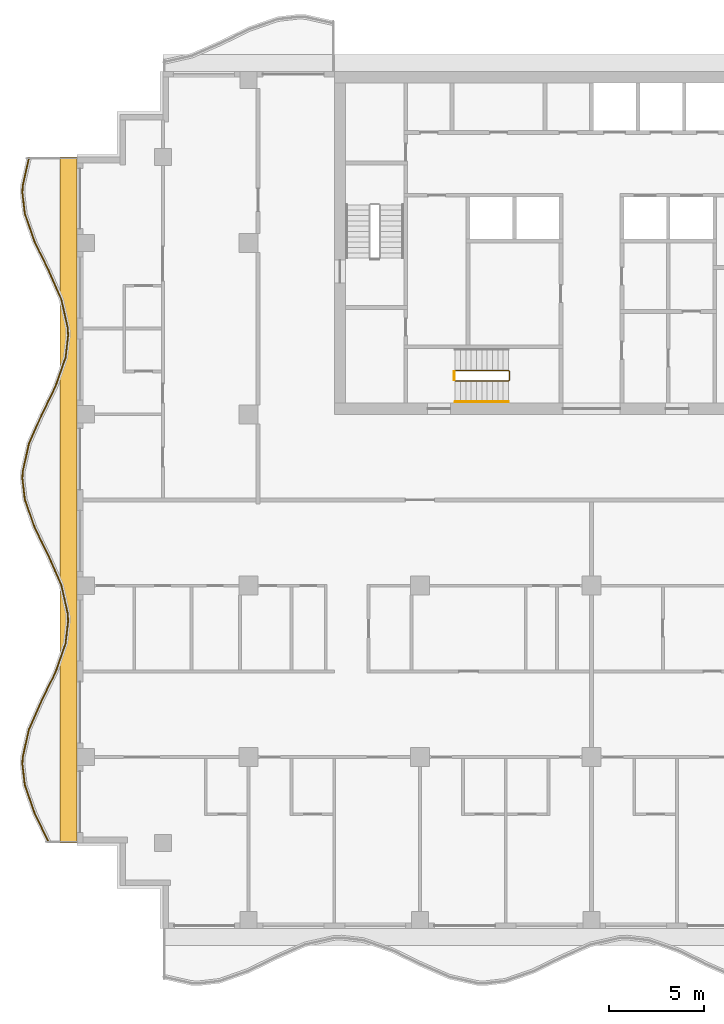
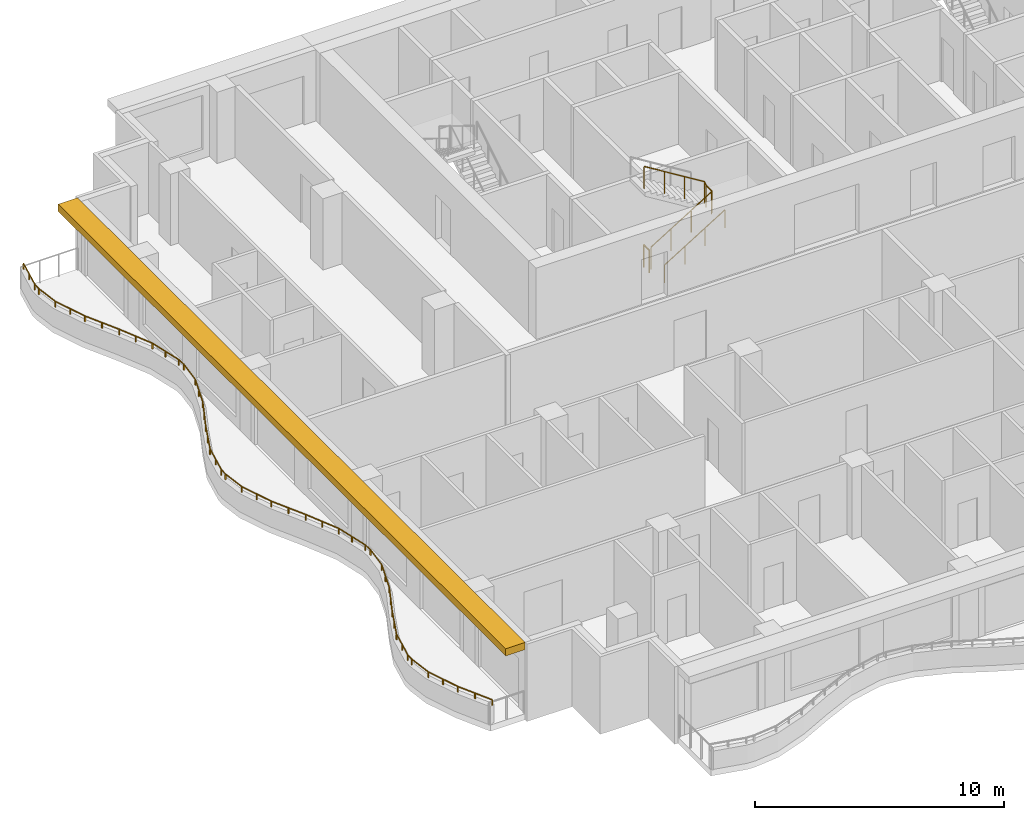
# One storey, part 9 of 11: 4 railings, 1 shading device.
"""IFC4 building model written with IfcOpenShell, lengths in metres."""

from ifc_helpers import new_model, si_unit, direction, frame, origin, origin_2d, place, context, subcontext, project, spatial, polyline, rectangle, circle, outline, extrude, material, layer, layer_set, type_object, element, save


model = new_model("IFC4")

# Units and contexts
model_context = context("Model", 3, precision=1e-05, world=origin(), true_north=direction((0.0, 1.0)))
body_context = subcontext(model_context, "Body", "Model", "MODEL_VIEW")
ifc_project = project(units=[si_unit("LENGTHUNIT", "METRE"), si_unit("AREAUNIT", "SQUARE_METRE"), si_unit("VOLUMEUNIT", "CUBIC_METRE"), si_unit("PLANEANGLEUNIT", "RADIAN"), si_unit("MASSUNIT", "GRAM", prefix="KILO")], contexts=[model_context])

# Site, building, storey
site_placement = place(None, origin())
site = spatial("IfcSite", under=ifc_project, at=site_placement, CompositionType="ELEMENT")
building_placement = place(site_placement, origin())
building = spatial("IfcBuilding", under=site, at=building_placement, Name="Orbiselva Terraces", CompositionType="ELEMENT")
storey_placement = place(building_placement, frame((0.0, 0.0, 246.4)))
storey = spatial("IfcBuildingStorey", under=building, at=storey_placement, Name="L62", CompositionType="ELEMENT", Elevation=246.4)

# Railings
ifc_material_1 = material(Name="Stainless steel", Category="steel")
railing_type_1 = type_object("IfcRailingType", Name="CORE-GUARD-1100", PredefinedType="GUARDRAIL", material=ifc_material_1)
railing_1_placement = place(storey_placement, frame((-7.15, 6.25, 0.172727)))
element("IfcRailing", 1, at=railing_1_placement, inside=storey, type_object=railing_type_1, Name="L62 S3 stair guard 1", PredefinedType="GUARDRAIL", context=body_context, shape_type="SweptSolid", body=[
    extrude(circle(Radius=0.024, at=origin_2d()), frame((0.0, 0.0, 1.081), z_axis=(0.851088519012, 0.0, 0.52502222125), x_axis=(0.0, 1.0, 0.0)), (0.0, 0.0, 1.0), 3.289905),
    extrude(circle(Radius=0.024, at=origin_2d()), frame((2.8, 0.0, 2.808273), z_axis=(0.707106781187, 0.707106781187, 0.0), x_axis=(-0.707106781187, 0.707106781187, 0.0)), (0.0, 0.0, 1.0), 0.070711),
    extrude(circle(Radius=0.024, at=origin_2d()), frame((2.85, 0.05, 2.808273), z_axis=(0.0, 1.0, 0.0), x_axis=(-1.0, 0.0, 0.0)), (0.0, 0.0, 1.0), 0.45),
    extrude(circle(Radius=0.024, at=origin_2d()), frame((2.85, 0.5, 2.808273), z_axis=(-0.267894925557, 0.267894925557, 0.925453736133), x_axis=(-0.707106781187, -0.707106781187, 0.0)), (0.0, 0.0, 1.0), 0.18664),
    extrude(circle(Radius=0.024, at=origin_2d()), frame((2.8, 0.55, 2.981), z_axis=(-0.851088519012, 0.0, 0.52502222125), x_axis=(0.0, -1.0, 0.0)), (0.0, 0.0, 1.0), 3.289905),
    extrude(circle(Radius=0.021, at=origin_2d()), origin(), (0.0, 0.0, 1.0), 1.057),
    extrude(circle(Radius=0.021, at=origin_2d()), frame((0.933333, 0.0, 0.575758)), (0.0, 0.0, 1.0), 1.057),
    extrude(circle(Radius=0.021, at=origin_2d()), frame((1.866667, 0.0, 1.151515)), (0.0, 0.0, 1.0), 1.057),
    extrude(circle(Radius=0.021, at=origin_2d()), frame((2.8, 0.0, 1.727273)), (0.0, 0.0, 1.0), 1.057),
    extrude(circle(Radius=0.021, at=origin_2d()), frame((2.85, 0.05, 1.727273)), (0.0, 0.0, 1.0), 1.057),
    extrude(circle(Radius=0.021, at=origin_2d()), frame((2.85, 0.5, 1.727273)), (0.0, 0.0, 1.0), 1.057),
    extrude(circle(Radius=0.021, at=origin_2d()), frame((2.8, 0.55, 1.9)), (0.0, 0.0, 1.0), 1.057),
    extrude(circle(Radius=0.021, at=origin_2d()), frame((1.866667, 0.55, 2.475758)), (0.0, 0.0, 1.0), 1.057),
    extrude(circle(Radius=0.021, at=origin_2d()), frame((0.933333, 0.55, 3.051515)), (0.0, 0.0, 1.0), 1.057),
    extrude(circle(Radius=0.021, at=origin_2d()), frame((0.0, 0.55, 3.627273)), (0.0, 0.0, 1.0), 1.057),
])
railing_2_placement = place(storey_placement, frame((-7.2, 6.3, 0.0)))
element("IfcRailing", 2, at=railing_2_placement, inside=storey, type_object=railing_type_1, Name="L62 S3 stair guard 2", PredefinedType="GUARDRAIL", context=body_context, shape_type="SweptSolid", body=[
    extrude(circle(Radius=0.024, at=origin_2d()), frame((0.0, 0.0, 1.081), z_axis=(0.0, 1.0, 0.0), x_axis=(-1.0, 0.0, 0.0)), (0.0, 0.0, 1.0), 0.45),
    extrude(circle(Radius=0.021, at=origin_2d()), origin(), (0.0, 0.0, 1.0), 1.057),
    extrude(circle(Radius=0.021, at=origin_2d()), frame((0.0, 0.45, 0.0)), (0.0, 0.0, 1.0), 1.057),
])
railing_type_2 = type_object("IfcRailingType", Name="CORE-HANDRAIL-900", PredefinedType="HANDRAIL", material=ifc_material_1)
railing_3_placement = place(storey_placement, frame((-7.15, 5.15, 0.172727)))
element("IfcRailing", 3, at=railing_3_placement, inside=storey, type_object=railing_type_2, Name="L62 S3 stair handrail 1", PredefinedType="HANDRAIL", context=body_context, shape_type="SweptSolid", body=[
    extrude(circle(Radius=0.024, at=origin_2d()), frame((0.0, 0.0, 0.876), z_axis=(0.851088519012, 0.0, 0.52502222125), x_axis=(0.0, 1.0, 0.0)), (0.0, 0.0, 1.0), 3.289905),
    extrude(circle(Radius=0.021, at=origin_2d()), origin(), (0.0, 0.0, 1.0), 0.852),
    extrude(circle(Radius=0.021, at=origin_2d()), frame((0.933333, 0.0, 0.575758)), (0.0, 0.0, 1.0), 0.852),
    extrude(circle(Radius=0.021, at=origin_2d()), frame((1.866667, 0.0, 1.151515)), (0.0, 0.0, 1.0), 0.852),
    extrude(circle(Radius=0.021, at=origin_2d()), frame((2.8, 0.0, 1.727273)), (0.0, 0.0, 1.0), 0.852),
])
ifc_material_2 = material(Name="Bonded two-ply safety glass balustrade, stainless steel posts", Category="steel")
railing_type_3 = type_object("IfcRailingType", Name="ENV-BALUSTRADE-1200", PredefinedType="BALUSTRADE", material=ifc_material_2)
railing_4_placement = place(storey_placement, frame((-29.526563, 17.972623, 0.9)))
element("IfcRailing", 4, at=railing_4_placement, inside=storey, type_object=railing_type_3, Name="Balcony balustrade L62 W", PredefinedType="BALUSTRADE", context=body_context, shape_type="SweptSolid", body=[
    extrude(outline(polyline([(0.028868, 0.0), (0.014434, 0.025), (-0.014434, 0.025), (-0.028868, 0.0), (-0.014434, -0.025), (0.014434, -0.025), (0.028868, 0.0)])), frame((0.0, 0.0, 0.275), z_axis=(-0.21901575501, -0.975721322437, 0.0), x_axis=(0.975721322437, -0.21901575501, 0.0)), (0.0, 0.0, 1.0), 1.525954),
    extrude(outline(polyline([(0.028868, 0.0), (0.014434, 0.025), (-0.014434, 0.025), (-0.028868, 0.0), (-0.014434, -0.025), (0.014434, -0.025), (0.028868, 0.0)])), frame((-0.334208, -1.488906, 0.275), z_axis=(-0.039364150694, -0.999224931454, 0.0), x_axis=(0.999224931454, -0.039364150694, 0.0)), (0.0, 0.0, 1.0), 0.354206),
    extrude(outline(polyline([(0.028868, 0.0), (0.014434, 0.025), (-0.014434, 0.025), (-0.028868, 0.0), (-0.014434, -0.025), (0.014434, -0.025), (0.028868, 0.0)])), frame((-0.348151, -1.842837, 0.275), z_axis=(0.115481264762, -0.993309658409, 0.0), x_axis=(0.993309658409, 0.115481264762, 0.0)), (0.0, 0.0, 1.0), 1.10902),
    extrude(outline(polyline([(0.028868, 0.0), (0.014434, 0.025), (-0.014434, 0.025), (-0.028868, 0.0), (-0.014434, -0.025), (0.014434, -0.025), (0.028868, 0.0)])), frame((-0.22008, -2.944437, 0.275), z_axis=(0.330024754707, -0.943972277814, 0.0), x_axis=(0.943972277814, 0.330024754707, 0.0)), (0.0, 0.0, 1.0), 1.567807),
    extrude(outline(polyline([(0.028868, 0.0), (0.014434, 0.025), (-0.014434, 0.025), (-0.028868, 0.0), (-0.014434, -0.025), (0.014434, -0.025), (0.028868, 0.0)])), frame((0.297335, -4.424403, 0.275), z_axis=(0.438811978768, -0.89857890432, 0.0), x_axis=(0.89857890432, 0.438811978768, 0.0)), (0.0, 0.0, 1.0), 1.66438),
    extrude(outline(polyline([(0.028868, 0.0), (0.014434, 0.025), (-0.014434, 0.025), (-0.028868, 0.0), (-0.014434, -0.025), (0.014434, -0.025), (0.028868, 0.0)])), frame((1.027685, -5.91998, 0.275), z_axis=(0.403150874148, -0.915133527237, 0.0), x_axis=(0.915133527237, 0.403150874148, 0.0)), (0.0, 0.0, 1.0), 1.653736),
    extrude(outline(polyline([(0.028868, 0.0), (0.014434, 0.025), (-0.014434, 0.025), (-0.028868, 0.0), (-0.014434, -0.025), (0.014434, -0.025), (0.028868, 0.0)])), frame((1.69439, -7.433369, 0.275), z_axis=(0.219015500924, -0.97572137947, 0.0), x_axis=(0.97572137947, 0.219015500924, 0.0)), (0.0, 0.0, 1.0), 1.560867),
    extrude(outline(polyline([(0.028868, 0.0), (0.014434, 0.025), (-0.014434, 0.025), (-0.028868, 0.0), (-0.014434, -0.025), (0.014434, -0.025), (0.028868, 0.0)])), frame((2.036244, -8.95634, 0.275), z_axis=(0.03936915532, -0.999224734286, 0.0), x_axis=(0.999224734286, 0.03936915532, 0.0)), (0.0, 0.0, 1.0), 0.396376),
    extrude(outline(polyline([(0.028868, 0.0), (0.014434, 0.025), (-0.014434, 0.025), (-0.028868, 0.0), (-0.014434, -0.025), (0.014434, -0.025), (0.028868, 0.0)])), frame((2.051849, -9.352409, 0.275), z_axis=(-0.115482182324, -0.993309551734, 0.0), x_axis=(0.993309551734, -0.115482182324, 0.0)), (0.0, 0.0, 1.0), 1.156135),
    extrude(outline(polyline([(0.028868, 0.0), (0.014434, 0.025), (-0.014434, 0.025), (-0.028868, 0.0), (-0.014434, -0.025), (0.014434, -0.025), (0.028868, 0.0)])), frame((1.918336, -10.500809, 0.275), z_axis=(-0.330024597479, -0.943972332783, 0.0), x_axis=(0.943972332783, -0.330024597479, 0.0)), (0.0, 0.0, 1.0), 1.610253),
    extrude(outline(polyline([(0.028868, 0.0), (0.014434, 0.025), (-0.014434, 0.025), (-0.028868, 0.0), (-0.014434, -0.025), (0.014434, -0.025), (0.028868, 0.0)])), frame((1.386913, -12.020843, 0.275), z_axis=(-0.438812048596, -0.898578870221, 0.0), x_axis=(0.898578870221, -0.438812048596, 0.0)), (0.0, 0.0, 1.0), 1.674225),
    extrude(outline(polyline([(0.028868, 0.0), (0.014434, 0.025), (-0.014434, 0.025), (-0.028868, 0.0), (-0.014434, -0.025), (0.014434, -0.025), (0.028868, 0.0)])), frame((0.652243, -13.525266, 0.275), z_axis=(-0.403151245402, -0.915133363686, 0.0), x_axis=(0.915133363686, -0.403151245402, 0.0)), (0.0, 0.0, 1.0), 1.624475),
    extrude(outline(polyline([(0.028868, 0.0), (0.014434, 0.025), (-0.014434, 0.025), (-0.028868, 0.0), (-0.014434, -0.025), (0.014434, -0.025), (0.028868, 0.0)])), frame((-0.002666, -15.011877, 0.275), z_axis=(-0.219015740235, -0.975721325753, 0.0), x_axis=(0.975721325753, -0.219015740235, 0.0)), (0.0, 0.0, 1.0), 1.513782),
    extrude(outline(polyline([(0.028868, 0.0), (0.014434, 0.025), (-0.014434, 0.025), (-0.028868, 0.0), (-0.014434, -0.025), (0.014434, -0.025), (0.028868, 0.0)])), frame((-0.334208, -16.488906, 0.275), z_axis=(-0.039364150694, -0.999224931454, 0.0), x_axis=(0.999224931454, -0.039364150694, 0.0)), (0.0, 0.0, 1.0), 0.354206),
    extrude(outline(polyline([(0.028868, 0.0), (0.014434, 0.025), (-0.014434, 0.025), (-0.028868, 0.0), (-0.014434, -0.025), (0.014434, -0.025), (0.028868, 0.0)])), frame((-0.348151, -16.842837, 0.275), z_axis=(0.115481264762, -0.993309658409, 0.0), x_axis=(0.993309658409, 0.115481264762, 0.0)), (0.0, 0.0, 1.0), 1.10902),
    extrude(outline(polyline([(0.028868, 0.0), (0.014434, 0.025), (-0.014434, 0.025), (-0.028868, 0.0), (-0.014434, -0.025), (0.014434, -0.025), (0.028868, 0.0)])), frame((-0.22008, -17.944437, 0.275), z_axis=(0.330024754707, -0.943972277814, 0.0), x_axis=(0.943972277814, 0.330024754707, 0.0)), (0.0, 0.0, 1.0), 1.567807),
    extrude(outline(polyline([(0.028868, 0.0), (0.014434, 0.025), (-0.014434, 0.025), (-0.028868, 0.0), (-0.014434, -0.025), (0.014434, -0.025), (0.028868, 0.0)])), frame((0.297335, -19.424403, 0.275), z_axis=(0.438811978768, -0.89857890432, 0.0), x_axis=(0.89857890432, 0.438811978768, 0.0)), (0.0, 0.0, 1.0), 1.66438),
    extrude(outline(polyline([(0.028868, 0.0), (0.014434, 0.025), (-0.014434, 0.025), (-0.028868, 0.0), (-0.014434, -0.025), (0.014434, -0.025), (0.028868, 0.0)])), frame((1.027685, -20.91998, 0.275), z_axis=(0.403150874148, -0.915133527237, 0.0), x_axis=(0.915133527237, 0.403150874148, 0.0)), (0.0, 0.0, 1.0), 1.653736),
    extrude(outline(polyline([(0.028868, 0.0), (0.014434, 0.025), (-0.014434, 0.025), (-0.028868, 0.0), (-0.014434, -0.025), (0.014434, -0.025), (0.028868, 0.0)])), frame((1.69439, -22.433369, 0.275), z_axis=(0.219015500924, -0.97572137947, 0.0), x_axis=(0.97572137947, 0.219015500924, 0.0)), (0.0, 0.0, 1.0), 1.560867),
    extrude(outline(polyline([(0.028868, 0.0), (0.014434, 0.025), (-0.014434, 0.025), (-0.028868, 0.0), (-0.014434, -0.025), (0.014434, -0.025), (0.028868, 0.0)])), frame((2.036244, -23.95634, 0.275), z_axis=(0.03936915532, -0.999224734286, 0.0), x_axis=(0.999224734286, 0.03936915532, 0.0)), (0.0, 0.0, 1.0), 0.396376),
    extrude(outline(polyline([(0.028868, 0.0), (0.014434, 0.025), (-0.014434, 0.025), (-0.028868, 0.0), (-0.014434, -0.025), (0.014434, -0.025), (0.028868, 0.0)])), frame((2.051849, -24.352409, 0.275), z_axis=(-0.115482182324, -0.993309551734, 0.0), x_axis=(0.993309551734, -0.115482182324, 0.0)), (0.0, 0.0, 1.0), 1.156135),
    extrude(outline(polyline([(0.028868, 0.0), (0.014434, 0.025), (-0.014434, 0.025), (-0.028868, 0.0), (-0.014434, -0.025), (0.014434, -0.025), (0.028868, 0.0)])), frame((1.918336, -25.500809, 0.275), z_axis=(-0.330024597479, -0.943972332783, 0.0), x_axis=(0.943972332783, -0.330024597479, 0.0)), (0.0, 0.0, 1.0), 1.610253),
    extrude(outline(polyline([(0.028868, 0.0), (0.014434, 0.025), (-0.014434, 0.025), (-0.028868, 0.0), (-0.014434, -0.025), (0.014434, -0.025), (0.028868, 0.0)])), frame((1.386913, -27.020843, 0.275), z_axis=(-0.438812048596, -0.898578870221, 0.0), x_axis=(0.898578870221, -0.438812048596, 0.0)), (0.0, 0.0, 1.0), 1.674225),
    extrude(outline(polyline([(0.028868, 0.0), (0.014434, 0.025), (-0.014434, 0.025), (-0.028868, 0.0), (-0.014434, -0.025), (0.014434, -0.025), (0.028868, 0.0)])), frame((0.652243, -28.525266, 0.275), z_axis=(-0.403151245402, -0.915133363686, 0.0), x_axis=(0.915133363686, -0.403151245402, 0.0)), (0.0, 0.0, 1.0), 1.624475),
    extrude(outline(polyline([(0.028868, 0.0), (0.014434, 0.025), (-0.014434, 0.025), (-0.028868, 0.0), (-0.014434, -0.025), (0.014434, -0.025), (0.028868, 0.0)])), frame((-0.002666, -30.011877, 0.275), z_axis=(-0.219015740235, -0.975721325753, 0.0), x_axis=(0.975721325753, -0.219015740235, 0.0)), (0.0, 0.0, 1.0), 1.513782),
    extrude(outline(polyline([(0.028868, 0.0), (0.014434, 0.025), (-0.014434, 0.025), (-0.028868, 0.0), (-0.014434, -0.025), (0.014434, -0.025), (0.028868, 0.0)])), frame((-0.334208, -31.488906, 0.275), z_axis=(-0.039364150694, -0.999224931454, 0.0), x_axis=(0.999224931454, -0.039364150694, 0.0)), (0.0, 0.0, 1.0), 0.354206),
    extrude(outline(polyline([(0.028868, 0.0), (0.014434, 0.025), (-0.014434, 0.025), (-0.028868, 0.0), (-0.014434, -0.025), (0.014434, -0.025), (0.028868, 0.0)])), frame((-0.348151, -31.842837, 0.275), z_axis=(0.115481264762, -0.993309658409, 0.0), x_axis=(0.993309658409, 0.115481264762, 0.0)), (0.0, 0.0, 1.0), 1.10902),
    extrude(outline(polyline([(0.028868, 0.0), (0.014434, 0.025), (-0.014434, 0.025), (-0.028868, 0.0), (-0.014434, -0.025), (0.014434, -0.025), (0.028868, 0.0)])), frame((-0.22008, -32.944437, 0.275), z_axis=(0.330024754707, -0.943972277814, 0.0), x_axis=(0.943972277814, 0.330024754707, 0.0)), (0.0, 0.0, 1.0), 1.567807),
    extrude(outline(polyline([(0.028868, 0.0), (0.014434, 0.025), (-0.014434, 0.025), (-0.028868, 0.0), (-0.014434, -0.025), (0.014434, -0.025), (0.028868, 0.0)])), frame((0.297335, -34.424403, 0.275), z_axis=(0.438811853882, -0.898578965307, 0.0), x_axis=(0.898578965307, 0.438811853882, 0.0)), (0.0, 0.0, 1.0), 1.661922),
    extrude(rectangle(XDim=0.05, YDim=0.05, at=origin_2d()), origin(), (0.0, 0.0, 1.0), 0.25),
    extrude(rectangle(XDim=0.05, YDim=0.05, at=origin_2d()), frame((-0.167104, -0.744453, 0.0)), (0.0, 0.0, 1.0), 0.25),
    extrude(rectangle(XDim=0.05, YDim=0.05, at=origin_2d()), frame((-0.334208, -1.488906, 0.0)), (0.0, 0.0, 1.0), 0.25),
    extrude(rectangle(XDim=0.05, YDim=0.05, at=origin_2d()), frame((-0.348151, -1.842837, 0.0)), (0.0, 0.0, 1.0), 0.25),
    extrude(rectangle(XDim=0.05, YDim=0.05, at=origin_2d()), frame((-0.22008, -2.944437, 0.0)), (0.0, 0.0, 1.0), 0.25),
    extrude(rectangle(XDim=0.05, YDim=0.05, at=origin_2d()), frame((0.038628, -3.68442, 0.0)), (0.0, 0.0, 1.0), 0.25),
    extrude(rectangle(XDim=0.05, YDim=0.05, at=origin_2d()), frame((0.297335, -4.424403, 0.0)), (0.0, 0.0, 1.0), 0.25),
    extrude(rectangle(XDim=0.05, YDim=0.05, at=origin_2d()), frame((0.66251, -5.172191, 0.0)), (0.0, 0.0, 1.0), 0.25),
    extrude(rectangle(XDim=0.05, YDim=0.05, at=origin_2d()), frame((1.027685, -5.91998, 0.0)), (0.0, 0.0, 1.0), 0.25),
    extrude(rectangle(XDim=0.05, YDim=0.05, at=origin_2d()), frame((1.361037, -6.676674, 0.0)), (0.0, 0.0, 1.0), 0.25),
    extrude(rectangle(XDim=0.05, YDim=0.05, at=origin_2d()), frame((1.69439, -7.433369, 0.0)), (0.0, 0.0, 1.0), 0.25),
    extrude(rectangle(XDim=0.05, YDim=0.05, at=origin_2d()), frame((1.865317, -8.194854, 0.0)), (0.0, 0.0, 1.0), 0.25),
    extrude(rectangle(XDim=0.05, YDim=0.05, at=origin_2d()), frame((2.036244, -8.95634, 0.0)), (0.0, 0.0, 1.0), 0.25),
    extrude(rectangle(XDim=0.05, YDim=0.05, at=origin_2d()), frame((2.051849, -9.352409, 0.0)), (0.0, 0.0, 1.0), 0.25),
    extrude(rectangle(XDim=0.05, YDim=0.05, at=origin_2d()), frame((1.918336, -10.500809, 0.0)), (0.0, 0.0, 1.0), 0.25),
    extrude(rectangle(XDim=0.05, YDim=0.05, at=origin_2d()), frame((1.652624, -11.260826, 0.0)), (0.0, 0.0, 1.0), 0.25),
    extrude(rectangle(XDim=0.05, YDim=0.05, at=origin_2d()), frame((1.386913, -12.020843, 0.0)), (0.0, 0.0, 1.0), 0.25),
    extrude(rectangle(XDim=0.05, YDim=0.05, at=origin_2d()), frame((1.019578, -12.773054, 0.0)), (0.0, 0.0, 1.0), 0.25),
    extrude(rectangle(XDim=0.05, YDim=0.05, at=origin_2d()), frame((0.652243, -13.525266, 0.0)), (0.0, 0.0, 1.0), 0.25),
    extrude(rectangle(XDim=0.05, YDim=0.05, at=origin_2d()), frame((0.324788, -14.268571, 0.0)), (0.0, 0.0, 1.0), 0.25),
    extrude(rectangle(XDim=0.05, YDim=0.05, at=origin_2d()), frame((-0.002666, -15.011877, 0.0)), (0.0, 0.0, 1.0), 0.25),
    extrude(rectangle(XDim=0.05, YDim=0.05, at=origin_2d()), frame((-0.168437, -15.750392, 0.0)), (0.0, 0.0, 1.0), 0.25),
    extrude(rectangle(XDim=0.05, YDim=0.05, at=origin_2d()), frame((-0.334208, -16.488906, 0.0)), (0.0, 0.0, 1.0), 0.25),
    extrude(rectangle(XDim=0.05, YDim=0.05, at=origin_2d()), frame((-0.348151, -16.842837, 0.0)), (0.0, 0.0, 1.0), 0.25),
    extrude(rectangle(XDim=0.05, YDim=0.05, at=origin_2d()), frame((-0.22008, -17.944437, 0.0)), (0.0, 0.0, 1.0), 0.25),
    extrude(rectangle(XDim=0.05, YDim=0.05, at=origin_2d()), frame((0.038628, -18.68442, 0.0)), (0.0, 0.0, 1.0), 0.25),
    extrude(rectangle(XDim=0.05, YDim=0.05, at=origin_2d()), frame((0.297335, -19.424403, 0.0)), (0.0, 0.0, 1.0), 0.25),
    extrude(rectangle(XDim=0.05, YDim=0.05, at=origin_2d()), frame((0.66251, -20.172191, 0.0)), (0.0, 0.0, 1.0), 0.25),
    extrude(rectangle(XDim=0.05, YDim=0.05, at=origin_2d()), frame((1.027685, -20.91998, 0.0)), (0.0, 0.0, 1.0), 0.25),
    extrude(rectangle(XDim=0.05, YDim=0.05, at=origin_2d()), frame((1.361037, -21.676674, 0.0)), (0.0, 0.0, 1.0), 0.25),
    extrude(rectangle(XDim=0.05, YDim=0.05, at=origin_2d()), frame((1.69439, -22.433369, 0.0)), (0.0, 0.0, 1.0), 0.25),
    extrude(rectangle(XDim=0.05, YDim=0.05, at=origin_2d()), frame((1.865317, -23.194854, 0.0)), (0.0, 0.0, 1.0), 0.25),
    extrude(rectangle(XDim=0.05, YDim=0.05, at=origin_2d()), frame((2.036244, -23.95634, 0.0)), (0.0, 0.0, 1.0), 0.25),
    extrude(rectangle(XDim=0.05, YDim=0.05, at=origin_2d()), frame((2.051849, -24.352409, 0.0)), (0.0, 0.0, 1.0), 0.25),
    extrude(rectangle(XDim=0.05, YDim=0.05, at=origin_2d()), frame((1.918336, -25.500809, 0.0)), (0.0, 0.0, 1.0), 0.25),
    extrude(rectangle(XDim=0.05, YDim=0.05, at=origin_2d()), frame((1.652624, -26.260826, 0.0)), (0.0, 0.0, 1.0), 0.25),
    extrude(rectangle(XDim=0.05, YDim=0.05, at=origin_2d()), frame((1.386913, -27.020843, 0.0)), (0.0, 0.0, 1.0), 0.25),
    extrude(rectangle(XDim=0.05, YDim=0.05, at=origin_2d()), frame((1.019578, -27.773054, 0.0)), (0.0, 0.0, 1.0), 0.25),
    extrude(rectangle(XDim=0.05, YDim=0.05, at=origin_2d()), frame((0.652243, -28.525266, 0.0)), (0.0, 0.0, 1.0), 0.25),
    extrude(rectangle(XDim=0.05, YDim=0.05, at=origin_2d()), frame((0.324788, -29.268572, 0.0)), (0.0, 0.0, 1.0), 0.25),
    extrude(rectangle(XDim=0.05, YDim=0.05, at=origin_2d()), frame((-0.002666, -30.011877, 0.0)), (0.0, 0.0, 1.0), 0.25),
    extrude(rectangle(XDim=0.05, YDim=0.05, at=origin_2d()), frame((-0.168437, -30.750392, 0.0)), (0.0, 0.0, 1.0), 0.25),
    extrude(rectangle(XDim=0.05, YDim=0.05, at=origin_2d()), frame((-0.334208, -31.488906, 0.0)), (0.0, 0.0, 1.0), 0.25),
    extrude(rectangle(XDim=0.05, YDim=0.05, at=origin_2d()), frame((-0.348151, -31.842837, 0.0)), (0.0, 0.0, 1.0), 0.25),
    extrude(rectangle(XDim=0.05, YDim=0.05, at=origin_2d()), frame((-0.22008, -32.944437, 0.0)), (0.0, 0.0, 1.0), 0.25),
    extrude(rectangle(XDim=0.05, YDim=0.05, at=origin_2d()), frame((0.038628, -33.68442, 0.0)), (0.0, 0.0, 1.0), 0.25),
    extrude(rectangle(XDim=0.05, YDim=0.05, at=origin_2d()), frame((0.297335, -34.424403, 0.0)), (0.0, 0.0, 1.0), 0.25),
    extrude(rectangle(XDim=0.05, YDim=0.05, at=origin_2d()), frame((0.661971, -35.171087, 0.0)), (0.0, 0.0, 1.0), 0.25),
    extrude(rectangle(XDim=0.05, YDim=0.05, at=origin_2d()), frame((1.026606, -35.917771, 0.0)), (0.0, 0.0, 1.0), 0.25),
])

# Shading device
ifc_material_3 = material(Name="Terracotta baguette sunshade", Category="masonry")
ifc_layer = layer(ifc_material_3, 0.35)
ifc_layer_set = layer_set([ifc_layer], Name="Terracotta baguette sunshade")
shading_device_type = type_object("IfcShadingDeviceType", Name="ENV-SUNSHADE-900x350", PredefinedType="USERDEFINED", material=ifc_layer_set)
shading_device_placement = place(storey_placement, frame((0.0, 0.0, 3.15)))
element("IfcShadingDevice", 5, at=shading_device_placement, inside=storey, type_object=shading_device_type, Name="Sunshade band L62 W", ObjectType="SUNSHADE", PredefinedType="USERDEFINED", context=body_context, shape_type="SweptSolid", body=[
    extrude(outline(polyline([(-27.9, 18.0), (-27.9, -18.0), (-27.0, -18.0), (-27.0, 18.0), (-27.9, 18.0)])), origin(), (0.0, 0.0, 1.0), 0.35),
])

save(model, "model.ifc")
